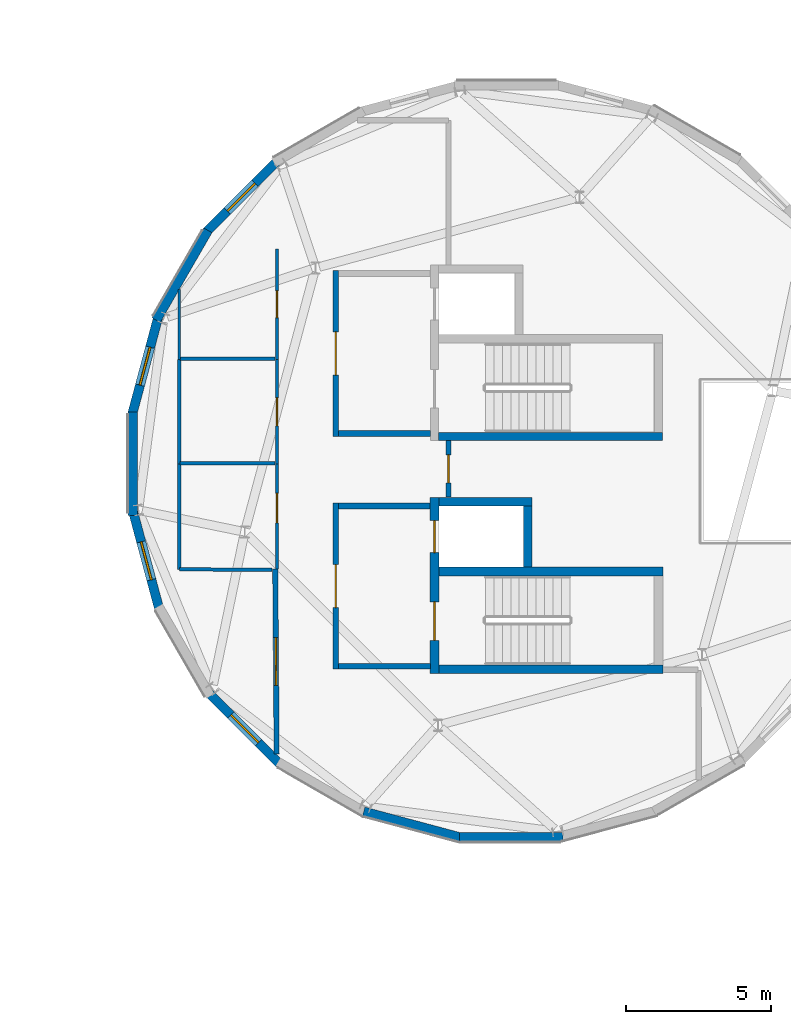
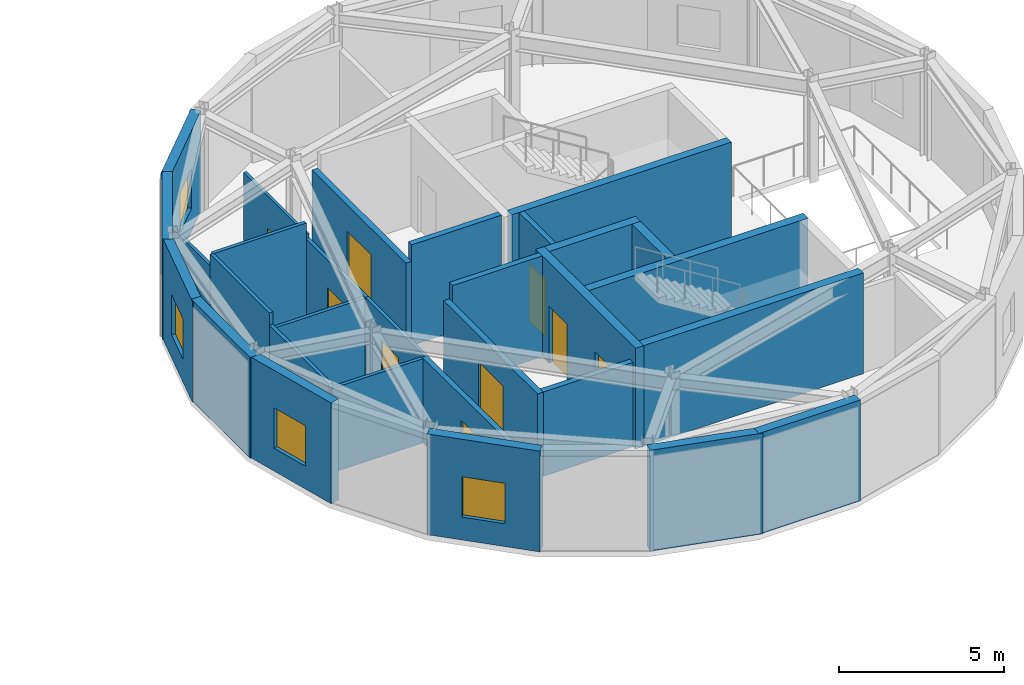
# One storey, part 6 of 11: 30 walls, 9 doors, 4 windows, 13 openings.
"""IFC4 building model written with IfcOpenShell, lengths in metres."""

from ifc_helpers import new_model, si_unit, direction, frame, frame_2d, origin, place, context, subcontext, project, spatial, rectangle, extrude, material, layer, layer_set, type_object, element, fill, save


model = new_model("IFC4")

# Units and contexts
model_context = context("Model", 3, precision=1e-05, world=origin(), true_north=direction((0.0, 1.0)))
body_context = subcontext(model_context, "Body", "Model", "MODEL_VIEW")
ifc_project = project(units=[si_unit("LENGTHUNIT", "METRE"), si_unit("AREAUNIT", "SQUARE_METRE"), si_unit("VOLUMEUNIT", "CUBIC_METRE"), si_unit("PLANEANGLEUNIT", "RADIAN"), si_unit("MASSUNIT", "GRAM", prefix="KILO")], contexts=[model_context])

# Site, building, storey
site_placement = place(None, origin())
site = spatial("IfcSite", under=ifc_project, at=site_placement, CompositionType="ELEMENT")
building_placement = place(site_placement, origin())
building = spatial("IfcBuilding", under=site, at=building_placement, Name="Varnklinge Art Gallery", CompositionType="ELEMENT")
storey_placement = place(building_placement, frame((0.0, 0.0, 17.639892578125)))
storey = spatial("IfcBuildingStorey", under=building, at=storey_placement, Name="L04", CompositionType="ELEMENT", Elevation=17.639892578125)

# Walls
ifc_material_1 = material(Name="Precast concrete C40/50", Category="concrete")
ifc_layer_1 = layer(ifc_material_1, 0.320068359375)
ifc_layer_set_1 = layer_set([ifc_layer_1], Name="Precast concrete C40/50")
wall_type_1 = type_object("IfcWallType", Name="EW-32", PredefinedType="SOLIDWALL", material=ifc_layer_set_1)
wall_1_placement = place(storey_placement, frame((77.36181640625, 25.572998046875, 0.0), z_axis=(0.0, 0.0, 1.0), x_axis=(-1.0, 0.0, 0.0)))
element("IfcWall", 1, at=wall_1_placement, inside=storey, type_object=wall_type_1, Name="L04 Exterior Wall EW-V4D-L04-07", PredefinedType="SOLIDWALL", context=body_context, shape_type="SweptSolid", body=[
    extrude(rectangle(XDim=3.563720703125, YDim=0.320068359375, at=frame_2d((1.78173828125, 0.0))), origin(), (0.0, 0.0, 1.0), 3.739990234375),
])
wall_2_placement = place(storey_placement, frame((73.95263671875, 25.531494140625, 0.0), z_axis=(0.0, 0.0, 1.0), x_axis=(-0.965922669003, 0.258830827966, 0.0)))
element("IfcWall", 2, at=wall_2_placement, inside=storey, type_object=wall_type_1, Name="L04 Exterior Wall EW-V4D-L04-08", PredefinedType="SOLIDWALL", context=body_context, shape_type="SweptSolid", body=[
    extrude(rectangle(XDim=3.5634765625, YDim=0.320068359375, at=frame_2d((1.78173828125, 0.0))), origin(), (0.0, 0.0, 1.0), 3.739990234375),
])

# Wall, opening, window
wall_3_placement = place(storey_placement, frame((67.675537109375, 28.04248046875, 0.0), z_axis=(0.0, 0.0, 1.0), x_axis=(-0.707072526286, 0.707141034428, 0.0)))
wall_3 = element("IfcWall", 3, at=wall_3_placement, inside=storey, type_object=wall_type_1, Name="L04 Exterior Wall EW-V4D-L04-10", PredefinedType="SOLIDWALL", context=body_context, shape_type="SweptSolid", body=[
    extrude(rectangle(XDim=3.563720703125, YDim=0.320068359375, at=frame_2d((1.78173828125, 0.0))), origin(), (0.0, 0.0, 1.0), 3.739990234375),
])
opening_1_placement = place(wall_3_placement, frame((1.106689453125, 0.0, 0.85009765625)))
opening_1 = element("IfcOpeningElement", 4, at=opening_1_placement, cuts=wall_3, Name="Opening WN-02", PredefinedType="OPENING", context=body_context, shape_type="SweptSolid", body=[
    extrude(rectangle(XDim=1.35009765625, YDim=1.5, at=frame_2d((0.675048828125, 0.75))), frame((0.0, 0.170166015625, 0.0), z_axis=(0.0, -1.0, 0.0), x_axis=(1.0, 0.0, 0.0)), (0.0, 0.0, 1.0), 0.340087890625),
])
ifc_material_2 = material(Name="Insulated Low-E Triple Glazing", Category="glass")
window_type = type_object("IfcWindowType", Name="WN-02", PartitioningType="SINGLE_PANEL", PredefinedType="WINDOW", material=ifc_material_2)
window_1_placement = place(opening_1_placement, origin())
window_1 = element("IfcWindow", 5, at=window_1_placement, inside=storey, type_object=window_type, Name="L04 Window WIN-L04-108", OverallHeight=1.5, OverallWidth=1.35009765625, PartitioningType="SINGLE_PANEL", PredefinedType="WINDOW", context=body_context, shape_type="SweptSolid", body=[
    extrude(rectangle(XDim=1.35009765625, YDim=1.5, at=frame_2d((0.675048828125, 0.75))), frame((0.0, 0.030029296875, 0.0), z_axis=(0.0, -1.0, 0.0), x_axis=(1.0, 0.0, 0.0)), (0.0, 0.0, 1.0), 0.06005859375),
])
fill(opening_1, window_1)

wall_4_placement = place(storey_placement, frame((63.495361328125, 33.35595703125, 0.0), z_axis=(0.0, 0.0, 1.0), x_axis=(-0.258830827966, 0.965922669003, 0.0)))
wall_4 = element("IfcWall", 6, at=wall_4_placement, inside=storey, type_object=wall_type_1, Name="L04 Exterior Wall EW-V4D-L04-12", PredefinedType="SOLIDWALL", context=body_context, shape_type="SweptSolid", body=[
    extrude(rectangle(XDim=3.5634765625, YDim=0.320068359375, at=frame_2d((1.78173828125, 0.0))), origin(), (0.0, 0.0, 1.0), 3.739990234375),
])
opening_2_placement = place(wall_4_placement, frame((1.10693359375, 0.0, 0.85009765625)))
opening_2 = element("IfcOpeningElement", 7, at=opening_2_placement, cuts=wall_4, Name="Opening WN-02", PredefinedType="OPENING", context=body_context, shape_type="SweptSolid", body=[
    extrude(rectangle(XDim=1.35009765625, YDim=1.5, at=frame_2d((0.675048828125, 0.75))), frame((0.0, 0.170166015625, 0.0), z_axis=(0.0, -1.0, 0.0), x_axis=(1.0, 0.0, 0.0)), (0.0, 0.0, 1.0), 0.340087890625),
])
window_2_placement = place(opening_2_placement, origin())
window_2 = element("IfcWindow", 8, at=window_2_placement, inside=storey, type_object=window_type, Name="L04 Window WIN-L04-109", OverallHeight=1.5, OverallWidth=1.35009765625, PartitioningType="SINGLE_PANEL", PredefinedType="WINDOW", context=body_context, shape_type="SweptSolid", body=[
    extrude(rectangle(XDim=1.35009765625, YDim=1.5, at=frame_2d((0.675048828125, 0.75))), frame((0.0, 0.030029296875, 0.0), z_axis=(0.0, -1.0, 0.0), x_axis=(1.0, 0.0, 0.0)), (0.0, 0.0, 1.0), 0.06005859375),
])
fill(opening_2, window_2)

# Wall
wall_5_placement = place(storey_placement, frame((62.572998046875, 36.63818359375, 0.0), z_axis=(0.0, 0.0, 1.0), x_axis=(0.0, 1.0, 0.0)))
element("IfcWall", 9, at=wall_5_placement, inside=storey, type_object=wall_type_1, Name="L04 Exterior Wall EW-V4D-L04-13", PredefinedType="SOLIDWALL", context=body_context, shape_type="SweptSolid", body=[
    extrude(rectangle(XDim=3.563720703125, YDim=0.320068359375, at=frame_2d((1.78173828125, 0.0))), origin(), (0.0, 0.0, 1.0), 3.739990234375),
])

# Wall, opening, window
wall_6_placement = place(storey_placement, frame((62.531494140625, 40.04736328125, 0.0), z_axis=(0.0, 0.0, 1.0), x_axis=(0.258830827966, 0.965922669003, 0.0)))
wall_6 = element("IfcWall", 10, at=wall_6_placement, inside=storey, type_object=wall_type_1, Name="L04 Exterior Wall EW-V4D-L04-14", PredefinedType="SOLIDWALL", context=body_context, shape_type="SweptSolid", body=[
    extrude(rectangle(XDim=3.5634765625, YDim=0.320068359375, at=frame_2d((1.78173828125, 0.0))), origin(), (0.0, 0.0, 1.0), 3.739990234375),
])
opening_3_placement = place(wall_6_placement, frame((1.10693359375, 0.0, 0.85009765625)))
opening_3 = element("IfcOpeningElement", 11, at=opening_3_placement, cuts=wall_6, Name="Opening WN-02", PredefinedType="OPENING", context=body_context, shape_type="SweptSolid", body=[
    extrude(rectangle(XDim=1.35009765625, YDim=1.5, at=frame_2d((0.675048828125, 0.75))), frame((0.0, 0.170166015625, 0.0), z_axis=(0.0, -1.0, 0.0), x_axis=(1.0, 0.0, 0.0)), (0.0, 0.0, 1.0), 0.340087890625),
])
window_3_placement = place(opening_3_placement, origin())
window_3 = element("IfcWindow", 12, at=window_3_placement, inside=storey, type_object=window_type, Name="L04 Window WIN-L04-110", OverallHeight=1.5, OverallWidth=1.35009765625, PartitioningType="SINGLE_PANEL", PredefinedType="WINDOW", context=body_context, shape_type="SweptSolid", body=[
    extrude(rectangle(XDim=1.35009765625, YDim=1.5, at=frame_2d((0.675048828125, 0.75))), frame((0.0, 0.030029296875, 0.0), z_axis=(0.0, -1.0, 0.0), x_axis=(1.0, 0.0, 0.0)), (0.0, 0.0, 1.0), 0.06005859375),
])
fill(opening_3, window_3)

# Wall
wall_7_placement = place(storey_placement, frame((63.373779296875, 43.35107421875, 0.0), z_axis=(0.0, 0.0, 1.0), x_axis=(0.500007084799, 0.866021313335, 0.0)))
element("IfcWall", 13, at=wall_7_placement, inside=storey, type_object=wall_type_1, Name="L04 Exterior Wall EW-V4D-L04-15", PredefinedType="SOLIDWALL", context=body_context, shape_type="SweptSolid", body=[
    extrude(rectangle(XDim=3.56396484375, YDim=0.320068359375, at=frame_2d((1.781982421875, 0.0))), origin(), (0.0, 0.0, 1.0), 3.739990234375),
])

# Wall, opening, window
wall_8_placement = place(storey_placement, frame((65.04248046875, 46.324462890625, 0.0), z_axis=(0.0, 0.0, 1.0), x_axis=(0.707141034428, 0.707072526286, 0.0)))
wall_8 = element("IfcWall", 14, at=wall_8_placement, inside=storey, type_object=wall_type_1, Name="L04 Exterior Wall EW-V4D-L04-16", PredefinedType="SOLIDWALL", context=body_context, shape_type="SweptSolid", body=[
    extrude(rectangle(XDim=3.563720703125, YDim=0.320068359375, at=frame_2d((1.78173828125, 0.0))), origin(), (0.0, 0.0, 1.0), 3.739990234375),
])
opening_4_placement = place(wall_8_placement, frame((1.106689453125, 0.0, 0.85009765625)))
opening_4 = element("IfcOpeningElement", 15, at=opening_4_placement, cuts=wall_8, Name="Opening WN-02", PredefinedType="OPENING", context=body_context, shape_type="SweptSolid", body=[
    extrude(rectangle(XDim=1.35009765625, YDim=1.5, at=frame_2d((0.675048828125, 0.75))), frame((0.0, 0.170166015625, 0.0), z_axis=(0.0, -1.0, 0.0), x_axis=(1.0, 0.0, 0.0)), (0.0, 0.0, 1.0), 0.340087890625),
])
window_4_placement = place(opening_4_placement, origin())
window_4 = element("IfcWindow", 16, at=window_4_placement, inside=storey, type_object=window_type, Name="L04 Window WIN-L04-111", OverallHeight=1.5, OverallWidth=1.35009765625, PartitioningType="SINGLE_PANEL", PredefinedType="WINDOW", context=body_context, shape_type="SweptSolid", body=[
    extrude(rectangle(XDim=1.35009765625, YDim=1.5, at=frame_2d((0.675048828125, 0.75))), frame((0.0, 0.030029296875, 0.0), z_axis=(0.0, -1.0, 0.0), x_axis=(1.0, 0.0, 0.0)), (0.0, 0.0, 1.0), 0.06005859375),
])
fill(opening_4, window_4)

# Wall, opening, door
ifc_material_3 = material(Name="Gypsum Board Partition", Category="gypsum")
ifc_layer_2 = layer(ifc_material_3, 0.10009765625)
ifc_layer_set_2 = layer_set([ifc_layer_2], Name="Gypsum Board Partition")
wall_type_2 = type_object("IfcWallType", Name="IW-10", PredefinedType="PARTITIONING", material=ifc_layer_set_2)
wall_9_placement = place(storey_placement, frame((67.530029296875, 45.800048828125, 0.0), z_axis=(0.0, 0.0, 1.0), x_axis=(0.0, -1.0, 0.0)))
wall_9 = element("IfcWall", 17, at=wall_9_placement, inside=storey, type_object=wall_type_2, Name="L04 Partition Wall IW-L04-0360", PredefinedType="PARTITIONING", context=body_context, shape_type="SweptSolid", body=[
    extrude(rectangle(XDim=3.800048828125, YDim=0.10009765625, at=frame_2d((1.89990234375, 0.0))), origin(), (0.0, 0.0, 1.0), 3.280029296875),
])
opening_5_placement = place(wall_9_placement, frame((1.43994140625, 0.0, 0.0)))
opening_5 = element("IfcOpeningElement", 18, at=opening_5_placement, cuts=wall_9, Name="Opening D-L04-266", PredefinedType="OPENING", context=body_context, shape_type="SweptSolid", body=[
    extrude(rectangle(XDim=0.919921875, YDim=2.080078125, at=frame_2d((0.4599609375, 1.0400390625))), frame((0.0, 0.06005859375, 0.0), z_axis=(0.0, -1.0, 0.0), x_axis=(1.0, 0.0, 0.0)), (0.0, 0.0, 1.0), 0.1201171875),
])
ifc_material_4 = material(Name="Oak Timber Leaf", Category="wood")
door_type_1 = type_object("IfcDoorType", Name="ID-01", OperationType="SINGLE_SWING_LEFT", PredefinedType="DOOR", material=ifc_material_4)
door_1_placement = place(opening_5_placement, origin())
door_1 = element("IfcDoor", 19, at=door_1_placement, inside=storey, type_object=door_type_1, Name="L04 L04 Curatorial Conservation Closet Door D-L04-266", OperationType="SINGLE_SWING_RIGHT", OverallHeight=2.080078125, OverallWidth=0.919921875, PredefinedType="DOOR", context=body_context, shape_type="SweptSolid", body=[
    extrude(rectangle(XDim=0.919921875, YDim=2.080078125, at=frame_2d((0.4599609375, 1.0400390625))), frame((0.0, 0.02490234375, 0.0), z_axis=(0.0, -1.0, 0.0), x_axis=(1.0, 0.0, 0.0)), (0.0, 0.0, 1.0), 0.050048828125),
])
fill(opening_5, door_1)

# Wall
wall_10_placement = place(storey_placement, frame((64.169921875, 42.0, 0.0), z_axis=(0.0, 0.0, 1.0), x_axis=(0.0, 1.0, 0.0)))
element("IfcWall", 20, at=wall_10_placement, inside=storey, type_object=wall_type_2, Name="L04 Partition Wall IW-L04-0376", PredefinedType="PARTITIONING", context=body_context, shape_type="SweptSolid", body=[
    extrude(rectangle(XDim=2.402099609375, YDim=0.10009765625, at=frame_2d((1.201171875, 0.0))), origin(), (0.0, 0.0, 1.0), 3.280029296875),
])

# Wall, opening, door
ifc_material_5 = material(Name="Gypsum Board Partition", Category="gypsum")
ifc_layer_3 = layer(ifc_material_5, 0.1201171875)
ifc_layer_set_3 = layer_set([ifc_layer_3], Name="Gypsum Board Partition")
wall_type_3 = type_object("IfcWallType", Name="IW-12", PredefinedType="PARTITIONING", material=ifc_layer_set_3)
wall_11_placement = place(storey_placement, frame((67.530029296875, 38.39990234375, 0.0), z_axis=(0.0, 0.0, 1.0), x_axis=(0.0, -1.0, 0.0)))
wall_11 = element("IfcWall", 21, at=wall_11_placement, inside=storey, type_object=wall_type_3, Name="L04 Partition Wall IW-L04-0358", PredefinedType="PARTITIONING", context=body_context, shape_type="SweptSolid", body=[
    extrude(rectangle(XDim=3.599853515625, YDim=0.1201171875, at=frame_2d((1.7998046875, 0.0))), origin(), (0.0, 0.0, 1.0), 3.130126953125),
])
opening_6_placement = place(wall_11_placement, frame((1.001953125, 0.0, 0.0)))
opening_6 = element("IfcOpeningElement", 22, at=opening_6_placement, cuts=wall_11, Name="Opening D-L04-264", PredefinedType="OPENING", context=body_context, shape_type="SweptSolid", body=[
    extrude(rectangle(XDim=1.02001953125, YDim=2.1201171875, at=frame_2d((0.510009765625, 1.06005859375))), frame((0.0, 0.070068359375, 0.0), z_axis=(0.0, -1.0, 0.0), x_axis=(1.0, 0.0, 0.0)), (0.0, 0.0, 1.0), 0.14013671875),
])
ifc_material_6 = material(Name="Oak Timber Leaf", Category="wood")
door_type_2 = type_object("IfcDoorType", Name="ID-03", OperationType="SINGLE_SWING_LEFT", PredefinedType="DOOR", material=ifc_material_6)
door_2_placement = place(opening_6_placement, origin())
door_2 = element("IfcDoor", 23, at=door_2_placement, inside=storey, type_object=door_type_2, Name="L04 L04 Accessible WC Central Door D-L04-264", OperationType="SINGLE_SWING_RIGHT", OverallHeight=2.1201171875, OverallWidth=1.02001953125, PredefinedType="DOOR", context=body_context, shape_type="SweptSolid", body=[
    extrude(rectangle(XDim=1.02001953125, YDim=2.1201171875, at=frame_2d((0.510009765625, 1.06005859375))), frame((0.0, 0.02490234375, 0.0), z_axis=(0.0, -1.0, 0.0), x_axis=(1.0, 0.0, 0.0)), (0.0, 0.0, 1.0), 0.050048828125),
])
fill(opening_6, door_2)

wall_12_placement = place(storey_placement, frame((67.530029296875, 42.0, 0.0), z_axis=(0.0, 0.0, 1.0), x_axis=(0.0, -1.0, 0.0)))
wall_12 = element("IfcWall", 24, at=wall_12_placement, inside=storey, type_object=wall_type_3, Name="L04 Partition Wall IW-L04-0359", PredefinedType="PARTITIONING", context=body_context, shape_type="SweptSolid", body=[
    extrude(rectangle(XDim=3.60009765625, YDim=0.1201171875, at=frame_2d((1.800048828125, 0.0))), origin(), (0.0, 0.0, 1.0), 3.130126953125),
])
opening_7_placement = place(wall_12_placement, frame((1.320068359375, 0.0, 0.0)))
opening_7 = element("IfcOpeningElement", 25, at=opening_7_placement, cuts=wall_12, Name="Opening D-L04-265", PredefinedType="OPENING", context=body_context, shape_type="SweptSolid", body=[
    extrude(rectangle(XDim=0.9599609375, YDim=2.10009765625, at=frame_2d((0.47998046875, 1.050048828125))), frame((0.0, 0.070068359375, 0.0), z_axis=(0.0, -1.0, 0.0), x_axis=(1.0, 0.0, 0.0)), (0.0, 0.0, 1.0), 0.14013671875),
])
ifc_material_7 = material(Name="Oak Timber Leaf", Category="wood")
door_type_3 = type_object("IfcDoorType", Name="ID-02", OperationType="SINGLE_SWING_RIGHT", PredefinedType="DOOR", material=ifc_material_7)
door_3_placement = place(opening_7_placement, origin())
door_3 = element("IfcDoor", 26, at=door_3_placement, inside=storey, type_object=door_type_3, Name="L04 L04 Public Restroom Central Door D-L04-265", OperationType="SINGLE_SWING_LEFT", OverallHeight=2.10009765625, OverallWidth=0.9599609375, PredefinedType="DOOR", context=body_context, shape_type="SweptSolid", body=[
    extrude(rectangle(XDim=0.9599609375, YDim=2.10009765625, at=frame_2d((0.47998046875, 1.050048828125))), frame((0.0, 0.02490234375, 0.0), z_axis=(0.0, -1.0, 0.0), x_axis=(1.0, 0.0, 0.0)), (0.0, 0.0, 1.0), 0.050048828125),
])
fill(opening_7, door_3)

# Walls
wall_13_placement = place(storey_placement, frame((64.199951171875, 38.429931640625, 0.0), z_axis=(0.0, 0.0, 1.0), x_axis=(1.0, 0.0, 0.0)))
element("IfcWall", 27, at=wall_13_placement, inside=storey, type_object=wall_type_3, Name="L04 Partition Wall IW-L04-0371", PredefinedType="PARTITIONING", context=body_context, shape_type="SweptSolid", body=[
    extrude(rectangle(XDim=3.255126953125, YDim=0.1201171875, at=frame_2d((1.62744140625, 0.0))), origin(), (0.0, 0.0, 1.0), 3.130126953125),
])
wall_14_placement = place(storey_placement, frame((67.365234375, 34.77001953125, 0.0), z_axis=(0.0, 0.0, 1.0), x_axis=(-0.999994063851, 0.003445615075, 0.0)))
element("IfcWall", 28, at=wall_14_placement, inside=storey, type_object=wall_type_3, Name="L04 Partition Wall IW-L04-0372", PredefinedType="PARTITIONING", context=body_context, shape_type="SweptSolid", body=[
    extrude(rectangle(XDim=3.1884765625, YDim=0.1201171875, at=frame_2d((1.59423828125, 0.0))), origin(), (0.0, 0.0, 1.0), 3.130126953125),
])
wall_15_placement = place(storey_placement, frame((64.1767578125, 34.781005859375, 0.0), z_axis=(0.0, 0.0, 1.0), x_axis=(-0.001888952982, 0.999998215927, 0.0)))
element("IfcWall", 29, at=wall_15_placement, inside=storey, type_object=wall_type_3, Name="L04 Partition Wall IW-L04-0373", PredefinedType="PARTITIONING", context=body_context, shape_type="SweptSolid", body=[
    extrude(rectangle(XDim=3.618896484375, YDim=0.1201171875, at=frame_2d((1.8095703125, 0.0))), origin(), (0.0, 0.0, 1.0), 3.280029296875),
])
wall_16_placement = place(storey_placement, frame((64.199951171875, 42.030029296875, 0.0), z_axis=(0.0, 0.0, 1.0), x_axis=(1.0, 0.0, 0.0)))
element("IfcWall", 30, at=wall_16_placement, inside=storey, type_object=wall_type_3, Name="L04 Partition Wall IW-L04-0374", PredefinedType="PARTITIONING", context=body_context, shape_type="SweptSolid", body=[
    extrude(rectangle(XDim=3.26513671875, YDim=0.1201171875, at=frame_2d((1.632568359375, 0.0))), origin(), (0.0, 0.0, 1.0), 3.730224609375),
])
wall_17_placement = place(storey_placement, frame((64.169921875, 38.39990234375, 0.0), z_axis=(0.0, 0.0, 1.0), x_axis=(0.0, 1.0, 0.0)))
element("IfcWall", 31, at=wall_17_placement, inside=storey, type_object=wall_type_3, Name="L04 Partition Wall IW-L04-0375", PredefinedType="PARTITIONING", context=body_context, shape_type="SweptSolid", body=[
    extrude(rectangle(XDim=3.60009765625, YDim=0.1201171875, at=frame_2d((1.800048828125, 0.0))), origin(), (0.0, 0.0, 1.0), 3.730224609375),
])

# Wall, opening, door
ifc_material_8 = material(Name="Gypsum Board Partition", Category="gypsum")
ifc_layer_4 = layer(ifc_material_8, 0.179931640625)
ifc_layer_set_4 = layer_set([ifc_layer_4], Name="Gypsum Board Partition")
wall_type_4 = type_object("IfcWallType", Name="IW-18", PredefinedType="PARTITIONING", material=ifc_layer_set_4)
wall_18_placement = place(storey_placement, frame((73.429931640625, 39.2060546875, 0.0), z_axis=(0.0, 0.0, 1.0), x_axis=(0.0, -1.0, 0.0)))
wall_18 = element("IfcWall", 32, at=wall_18_placement, inside=storey, type_object=wall_type_4, Name="L04 Partition Wall IW-L04-0361", PredefinedType="PARTITIONING", context=body_context, shape_type="SweptSolid", body=[
    extrude(rectangle(XDim=1.942138671875, YDim=0.179931640625, at=frame_2d((0.97119140625, 0.0))), origin(), (0.0, 0.0, 1.0), 3.730224609375),
])
opening_8_placement = place(wall_18_placement, frame((0.490966796875, 0.0, 0.0)))
opening_8 = element("IfcOpeningElement", 33, at=opening_8_placement, cuts=wall_18, Name="Opening D-L04-267", PredefinedType="OPENING", context=body_context, shape_type="SweptSolid", body=[
    extrude(rectangle(XDim=0.9599609375, YDim=2.10009765625, at=frame_2d((0.47998046875, 1.050048828125))), frame((0.0, 0.099853515625, 0.0), z_axis=(0.0, -1.0, 0.0), x_axis=(1.0, 0.0, 0.0)), (0.0, 0.0, 1.0), 0.199951171875),
])
door_4_placement = place(opening_8_placement, origin())
door_4 = element("IfcDoor", 34, at=door_4_placement, inside=storey, type_object=door_type_3, Name="L04 L04 Drum Printmaking Study Cabinet Door D-L04-267", OperationType="SINGLE_SWING_LEFT", OverallHeight=2.10009765625, OverallWidth=0.9599609375, PredefinedType="DOOR", context=body_context, shape_type="SweptSolid", body=[
    extrude(rectangle(XDim=0.9599609375, YDim=2.10009765625, at=frame_2d((0.47998046875, 1.050048828125))), frame((0.0, 0.02490234375, 0.0), z_axis=(0.0, -1.0, 0.0), x_axis=(1.0, 0.0, 0.0)), (0.0, 0.0, 1.0), 0.050048828125),
])
fill(opening_8, door_4)

wall_19_placement = place(storey_placement, frame((67.517578125, 28.4326171875, 0.0), z_axis=(0.0, 0.0, 1.0), x_axis=(-0.007476498212, 0.999972050597, 0.0)))
wall_19 = element("IfcWall", 35, at=wall_19_placement, inside=storey, type_object=wall_type_4, Name="L04 Partition Wall IW-L04-0366", PredefinedType="PARTITIONING", context=body_context, shape_type="SweptSolid", body=[
    extrude(rectangle(XDim=6.36767578125, YDim=0.179931640625, at=frame_2d((3.183837890625, 0.0))), origin(), (0.0, 0.0, 1.0), 3.130126953125),
])
opening_9_placement = place(wall_19_placement, frame((2.36376953125, 0.0, 0.0)))
opening_9 = element("IfcOpeningElement", 36, at=opening_9_placement, cuts=wall_19, Name="Opening D-L04-268", PredefinedType="OPENING", context=body_context, shape_type="SweptSolid", body=[
    extrude(rectangle(XDim=1.639892578125, YDim=2.199951171875, at=frame_2d((0.81982421875, 1.10009765625))), frame((0.0, 0.099853515625, 0.0), z_axis=(0.0, -1.0, 0.0), x_axis=(1.0, 0.0, 0.0)), (0.0, 0.0, 1.0), 0.199951171875),
])
ifc_material_9 = material(Name="Oak Timber Leaf", Category="wood")
door_type_4 = type_object("IfcDoorType", Name="ID-08", OperationType="DOUBLE_DOOR_SINGLE_SWING", PredefinedType="DOOR", material=ifc_material_9)
door_5_placement = place(opening_9_placement, origin())
door_5 = element("IfcDoor", 37, at=door_5_placement, inside=storey, type_object=door_type_4, Name="L04 L04 Drum Printmaking Study Cabinet 2 Door D-L04-268", OperationType="DOUBLE_DOOR_SINGLE_SWING", OverallHeight=2.199951171875, OverallWidth=1.639892578125, PredefinedType="DOOR", context=body_context, shape_type="SweptSolid", body=[
    extrude(rectangle(XDim=1.639892578125, YDim=2.199951171875, at=frame_2d((0.81982421875, 1.10009765625))), frame((0.0, 0.02490234375, 0.0), z_axis=(0.0, -1.0, 0.0), x_axis=(1.0, 0.0, 0.0)), (0.0, 0.0, 1.0), 0.050048828125),
])
fill(opening_9, door_5)

# Walls
ifc_material_10 = material(Name="Concrete C40/50", Category="concrete")
ifc_layer_5 = layer(ifc_material_10, 0.199951171875)
ifc_layer_set_5 = layer_set([ifc_layer_5], Name="Concrete C40/50")
wall_type_5 = type_object("IfcWallType", Name="IW-20", PredefinedType="PARTITIONING", material=ifc_layer_set_5)
wall_20_placement = place(storey_placement, frame((69.64990234375, 31.449951171875, 0.0), z_axis=(0.0, 0.0, 1.0), x_axis=(1.0, 0.0, 0.0)))
element("IfcWall", 38, at=wall_20_placement, inside=storey, type_object=wall_type_5, Name="L04 Core C1 Lobby South Wall", PredefinedType="PARTITIONING", context=body_context, shape_type="SweptSolid", body=[
    extrude(rectangle(XDim=3.150146484375, YDim=0.199951171875, at=frame_2d((1.5751953125, 0.0))), origin(), (0.0, 0.0, 1.0), 3.130126953125),
])
wall_21_placement = place(storey_placement, frame((72.800048828125, 36.9599609375, 0.0), z_axis=(0.0, 0.0, 1.0), x_axis=(-1.0, 0.0, 0.0)))
element("IfcWall", 39, at=wall_21_placement, inside=storey, type_object=wall_type_5, Name="L04 Core C1 Lobby North Wall", PredefinedType="PARTITIONING", context=body_context, shape_type="SweptSolid", body=[
    extrude(rectangle(XDim=3.150146484375, YDim=0.199951171875, at=frame_2d((1.5751953125, 0.0))), origin(), (0.0, 0.0, 1.0), 3.739990234375),
])

# Wall, opening, door
wall_22_placement = place(storey_placement, frame((69.550048828125, 31.35009765625, 0.0), z_axis=(0.0, 0.0, 1.0), x_axis=(0.0, 1.0, 0.0)))
wall_22 = element("IfcWall", 40, at=wall_22_placement, inside=storey, type_object=wall_type_5, Name="L04 Core C1 Lobby Corridor Wall", PredefinedType="PARTITIONING", context=body_context, shape_type="SweptSolid", body=[
    extrude(rectangle(XDim=5.7099609375, YDim=0.199951171875, at=frame_2d((2.85498046875, 0.0))), origin(), (0.0, 0.0, 1.0), 3.130126953125),
])
opening_10_placement = place(wall_22_placement, frame((2.114990234375, 0.0, 0.0)))
opening_10 = element("IfcOpeningElement", 41, at=opening_10_placement, cuts=wall_22, Name="Opening D-L04-018", PredefinedType="OPENING", context=body_context, shape_type="SweptSolid", body=[
    extrude(rectangle(XDim=1.47998046875, YDim=2.14990234375, at=frame_2d((0.739990234375, 1.074951171875))), frame((0.0, 0.110107421875, 0.0), z_axis=(0.0, -1.0, 0.0), x_axis=(1.0, 0.0, 0.0)), (0.0, 0.0, 1.0), 0.219970703125),
])
ifc_material_11 = material(Name="Galvanised Fire-Rated Steel", Category="steel")
door_type_5 = type_object("IfcDoorType", Name="ID-LB1", OperationType="DOUBLE_DOOR_SINGLE_SWING", PredefinedType="DOOR", material=ifc_material_11)
door_6_placement = place(opening_10_placement, origin())
door_6 = element("IfcDoor", 42, at=door_6_placement, inside=storey, type_object=door_type_5, Name="L04 Core C1 Protected Lobby Door D-L04-018", OperationType="DOUBLE_DOOR_SINGLE_SWING", OverallHeight=2.14990234375, OverallWidth=1.47998046875, PredefinedType="DOOR", context=body_context, shape_type="SweptSolid", body=[
    extrude(rectangle(XDim=1.47998046875, YDim=2.14990234375, at=frame_2d((0.739990234375, 1.074951171875))), frame((0.0, 0.02490234375, 0.0), z_axis=(0.0, -1.0, 0.0), x_axis=(1.0, 0.0, 0.0)), (0.0, 0.0, 1.0), 0.050048828125),
])
fill(opening_10, door_6)

# Wall
wall_23_placement = place(storey_placement, frame((69.64990234375, 39.449951171875, 0.0), z_axis=(0.0, 0.0, 1.0), x_axis=(1.0, 0.0, 0.0)))
element("IfcWall", 43, at=wall_23_placement, inside=storey, type_object=wall_type_5, Name="L04 Core C2 Lobby South Wall", PredefinedType="PARTITIONING", context=body_context, shape_type="SweptSolid", body=[
    extrude(rectangle(XDim=3.150146484375, YDim=0.199951171875, at=frame_2d((1.5751953125, 0.0))), origin(), (0.0, 0.0, 1.0), 3.739990234375),
])

# Wall, opening, door
wall_24_placement = place(storey_placement, frame((69.550048828125, 39.35009765625, 0.0), z_axis=(0.0, 0.0, 1.0), x_axis=(0.0, 1.0, 0.0)))
wall_24 = element("IfcWall", 44, at=wall_24_placement, inside=storey, type_object=wall_type_5, Name="L04 Core C2 Lobby Corridor Wall", PredefinedType="PARTITIONING", context=body_context, shape_type="SweptSolid", body=[
    extrude(rectangle(XDim=5.7099609375, YDim=0.199951171875, at=frame_2d((2.85498046875, 0.0))), origin(), (0.0, 0.0, 1.0), 3.130126953125),
])
opening_11_placement = place(wall_24_placement, frame((2.114990234375, 0.0, 0.0)))
opening_11 = element("IfcOpeningElement", 45, at=opening_11_placement, cuts=wall_24, Name="Opening D-L04-042", PredefinedType="OPENING", context=body_context, shape_type="SweptSolid", body=[
    extrude(rectangle(XDim=1.47998046875, YDim=2.14990234375, at=frame_2d((0.739990234375, 1.074951171875))), frame((0.0, 0.110107421875, 0.0), z_axis=(0.0, -1.0, 0.0), x_axis=(1.0, 0.0, 0.0)), (0.0, 0.0, 1.0), 0.219970703125),
])
door_7_placement = place(opening_11_placement, origin())
door_7 = element("IfcDoor", 46, at=door_7_placement, inside=storey, type_object=door_type_5, Name="L04 Core C2 Protected Lobby Door D-L04-042", OperationType="DOUBLE_DOOR_SINGLE_SWING", OverallHeight=2.14990234375, OverallWidth=1.47998046875, PredefinedType="DOOR", context=body_context, shape_type="SweptSolid", body=[
    extrude(rectangle(XDim=1.47998046875, YDim=2.14990234375, at=frame_2d((0.739990234375, 1.074951171875))), frame((0.0, 0.02490234375, 0.0), z_axis=(0.0, -1.0, 0.0), x_axis=(1.0, 0.0, 0.0)), (0.0, 0.0, 1.0), 0.050048828125),
])
fill(opening_11, door_7)

# Walls
ifc_material_12 = material(Name="Concrete C40/50", Category="concrete")
ifc_layer_6 = layer(ifc_material_12, 0.280029296875)
ifc_layer_set_6 = layer_set([ifc_layer_6], Name="Concrete C40/50")
wall_type_6 = type_object("IfcWallType", Name="SW-28", PredefinedType="SHEAR", material=ifc_layer_set_6)
wall_25_placement = place(storey_placement, frame((73.090087890625, 39.35009765625, 0.0), z_axis=(0.0, 0.0, 1.0), x_axis=(1.0, 0.0, 0.0)))
element("IfcWall", 47, at=wall_25_placement, inside=storey, type_object=wall_type_6, Name="L04 Core C2 South Shear Wall", PredefinedType="SHEAR", context=body_context, shape_type="SweptSolid", body=[
    extrude(rectangle(XDim=7.699951171875, YDim=0.280029296875, at=frame_2d((3.85009765625, 0.0))), origin(), (0.0, 0.0, 1.0), 3.739990234375),
])
ifc_material_13 = material(Name="Concrete C40/50", Category="concrete")
ifc_layer_7 = layer(ifc_material_13, 0.300048828125)
ifc_layer_set_7 = layer_set([ifc_layer_7], Name="Concrete C40/50")
wall_type_7 = type_object("IfcWallType", Name="SW-30", PredefinedType="SHEAR", material=ifc_layer_set_7)
for number, where, z_axis, x_axis, name in (
    (48, (73.10009765625, 31.35009765625, 0.0), (0.0, 0.0, 1.0), (1.0, 0.0, 0.0), "L04 Core C1 South Shear Wall"),
    (49, (80.800048828125, 34.7099609375, 0.0), (0.0, 0.0, 1.0), (-1.0, 0.0, 0.0), "L04 Core C1 Dividing Shear Wall"),
):
    element("IfcWall", number, at=place(storey_placement, frame(where, z_axis=z_axis, x_axis=x_axis)), inside=storey, type_object=wall_type_7, Name=name, PredefinedType="SHEAR", context=body_context, shape_type="SweptSolid", body=[
        extrude(rectangle(XDim=7.699951171875, YDim=0.300048828125, at=frame_2d((3.85009765625, 0.0))), origin(), (0.0, 0.0, 1.0), 3.739990234375),
    ])
wall_26_placement = place(storey_placement, frame((76.14990234375, 34.860107421875, 0.0), z_axis=(0.0, 0.0, 1.0), x_axis=(0.0, 1.0, 0.0)))
element("IfcWall", 50, at=wall_26_placement, inside=storey, type_object=wall_type_7, Name="L04 Core C1 Lift East Shear Wall", PredefinedType="SHEAR", context=body_context, shape_type="SweptSolid", body=[
    extrude(rectangle(XDim=2.099853515625, YDim=0.300048828125, at=frame_2d((1.0498046875, 0.0))), origin(), (0.0, 0.0, 1.0), 3.739990234375),
])
wall_27_placement = place(storey_placement, frame((76.300048828125, 37.110107421875, 0.0), z_axis=(0.0, 0.0, 1.0), x_axis=(-1.0, 0.0, 0.0)))
element("IfcWall", 51, at=wall_27_placement, inside=storey, type_object=wall_type_7, Name="L04 Core C1 Lift North Shear Wall", PredefinedType="SHEAR", context=body_context, shape_type="SweptSolid", body=[
    extrude(rectangle(XDim=3.199951171875, YDim=0.300048828125, at=frame_2d((1.60009765625, 0.0))), origin(), (0.0, 0.0, 1.0), 3.739990234375),
])

# Wall, openings, doors
wall_28_placement = place(storey_placement, frame((72.949951171875, 37.260009765625, 0.0), z_axis=(0.0, 0.0, 1.0), x_axis=(0.0, -1.0, 0.0)))
wall_28 = element("IfcWall", 52, at=wall_28_placement, inside=storey, type_object=wall_type_7, Name="L04 Core C1 Front Shear Wall", PredefinedType="SHEAR", context=body_context, shape_type="SweptSolid", body=[
    extrude(rectangle(XDim=6.06005859375, YDim=0.300048828125, at=frame_2d((3.030029296875, 0.0))), origin(), (0.0, 0.0, 1.0), 3.739990234375),
])
opening_12_placement = place(wall_28_placement, frame((0.800048828125, 0.0, 0.0)))
opening_12 = element("IfcOpeningElement", 53, at=opening_12_placement, cuts=wall_28, Name="Opening LD-L04-016", PredefinedType="OPENING", context=body_context, shape_type="SweptSolid", body=[
    extrude(rectangle(XDim=1.10009765625, YDim=2.1201171875, at=frame_2d((0.550048828125, 1.06005859375))), frame((0.0, 0.159912109375, 0.0), z_axis=(0.0, -1.0, 0.0), x_axis=(1.0, 0.0, 0.0)), (0.0, 0.0, 1.0), 0.320068359375),
])
opening_13_placement = place(wall_28_placement, frame((3.60009765625, 0.0, 0.0)))
opening_13 = element("IfcOpeningElement", 54, at=opening_13_placement, cuts=wall_28, Name="Opening D-L04-017", PredefinedType="OPENING", context=body_context, shape_type="SweptSolid", body=[
    extrude(rectangle(XDim=1.320068359375, YDim=2.1201171875, at=frame_2d((0.66015625, 1.06005859375))), frame((0.0, 0.159912109375, 0.0), z_axis=(0.0, -1.0, 0.0), x_axis=(1.0, 0.0, 0.0)), (0.0, 0.0, 1.0), 0.320068359375),
])
ifc_material_14 = material(Name="Galvanised Fire-Rated Steel", Category="steel")
door_type_6 = type_object("IfcDoorType", Name="ID-ST1", OperationType="SINGLE_SWING_LEFT", PredefinedType="DOOR", material=ifc_material_14)
door_8_placement = place(opening_13_placement, origin())
door_8 = element("IfcDoor", 55, at=door_8_placement, inside=storey, type_object=door_type_6, Name="L04 Stair ST-01 Fire Door D-L04-017", OperationType="SINGLE_SWING_RIGHT", OverallHeight=2.1201171875, OverallWidth=1.320068359375, PredefinedType="DOOR", context=body_context, shape_type="SweptSolid", body=[
    extrude(rectangle(XDim=1.320068359375, YDim=2.1201171875, at=frame_2d((0.66015625, 1.06005859375))), frame((0.0, 0.02490234375, 0.0), z_axis=(0.0, -1.0, 0.0), x_axis=(1.0, 0.0, 0.0)), (0.0, 0.0, 1.0), 0.050048828125),
])
fill(opening_13, door_8)
ifc_material_15 = material(Name="Anodised Aluminium", Category="aluminium")
door_type_7 = type_object("IfcDoorType", Name="LD-PAX", OperationType="SLIDING_TO_LEFT", PredefinedType="DOOR", material=ifc_material_15)
door_9_placement = place(opening_12_placement, origin())
door_9 = element("IfcDoor", 56, at=door_9_placement, inside=storey, type_object=door_type_7, Name="L04 LF-01 Sliding Landing Door LD-L04-016", OperationType="SLIDING_TO_LEFT", OverallHeight=2.1201171875, OverallWidth=1.10009765625, PredefinedType="DOOR", context=body_context, shape_type="SweptSolid", body=[
    extrude(rectangle(XDim=1.10009765625, YDim=2.1201171875, at=frame_2d((0.550048828125, 1.06005859375))), frame((0.0, 0.02490234375, 0.0), z_axis=(0.0, -1.0, 0.0), x_axis=(1.0, 0.0, 0.0)), (0.0, 0.0, 1.0), 0.050048828125),
])
fill(opening_12, door_9)

save(model, "model.ifc")
